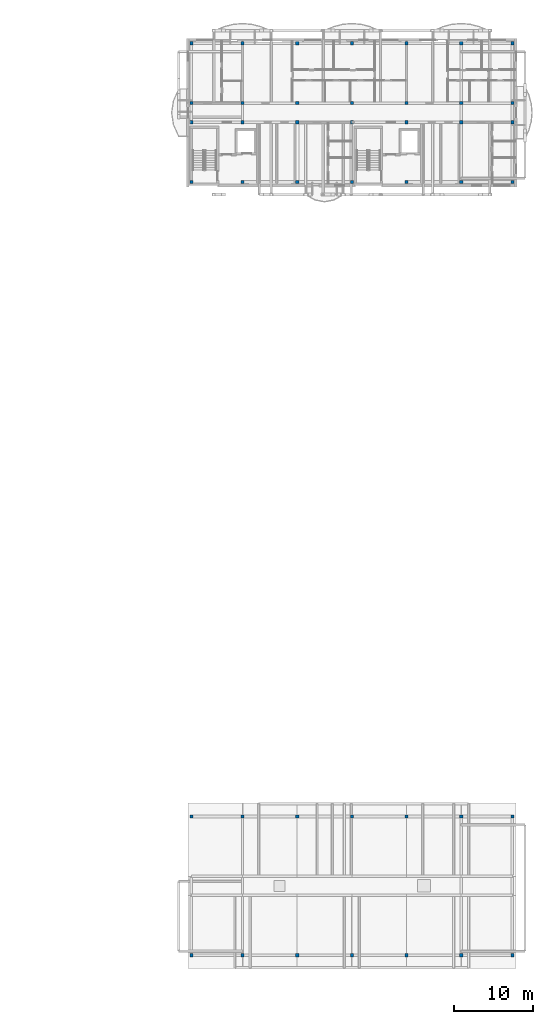
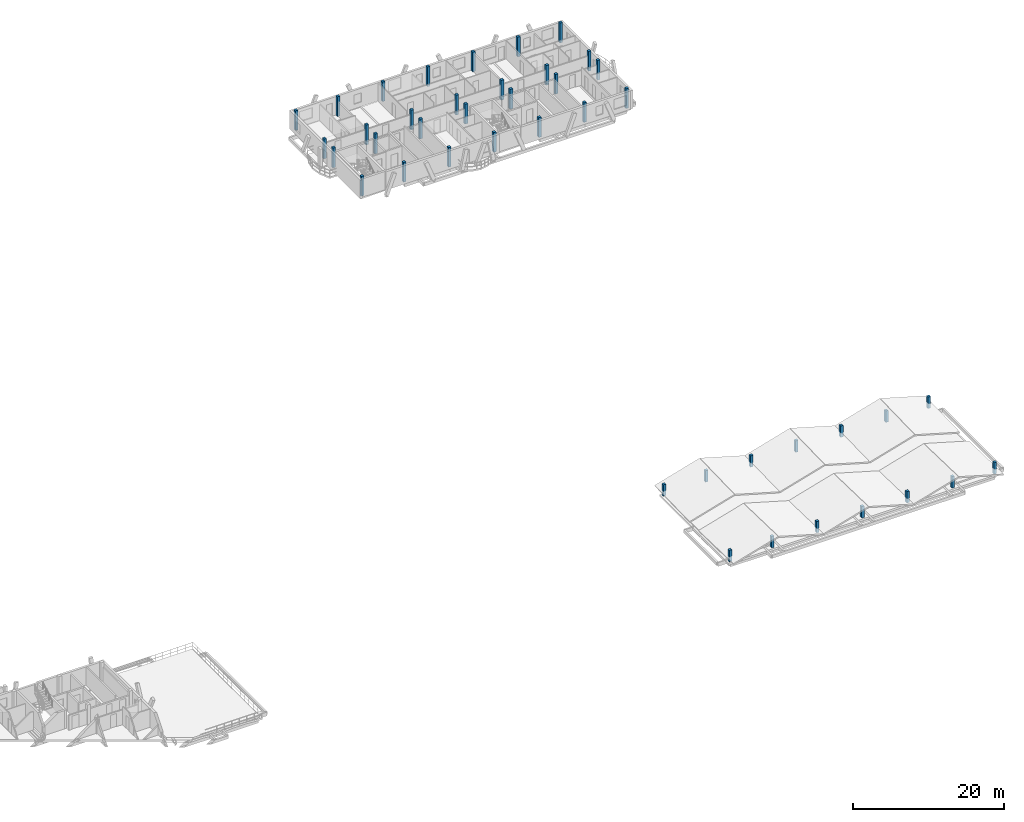
# One storey, part 2 of 33: 42 columns.
"""IFC4 building model written with IfcOpenShell, lengths in metres."""

import ifcopenshell
import ifcopenshell.guid

model = None  # the IFC model being written
_history = None  # IfcOwnerHistory: only IFC2X3 demands one
_inside = {}  # id of a spatial element -> (the spatial element, [elements in it])
_under = {}  # id of a project, library or spatial element -> (it, [spatial elements below it])
_declared = {}  # id of a project -> (the project, [libraries it declares])
_typed = {}  # id of a type object -> (the type object, [elements of that type])
_made_of = {}  # id of a material, layer set ... -> (it, [elements and type objects made of it])


def new_model(schema):
    """Start an empty IFC model of exactly this schema.

    Asked for "IFC4X3", IfcOpenShell would pick the latest addendum, in which some entities
    have other attributes; the version numbers below select the first issue.
    IFC2X3 requires an IfcOwnerHistory on every rooted entity: one is made here for all.
    """
    global model, _history
    if schema == "IFC4X3":
        model = ifcopenshell.file(schema_version=(4, 3, 0, 0))
    else:
        model = ifcopenshell.file(schema=schema)
    _inside.clear()
    _under.clear()
    _declared.clear()
    _typed.clear()
    _made_of.clear()
    _history = None
    if model.schema == "IFC2X3":
        org = make("IfcOrganization", Name="unknown")
        user = make(
            "IfcPersonAndOrganization",
            ThePerson=make("IfcPerson", FamilyName="unknown"),
            TheOrganization=org,
        )
        app = make(
            "IfcApplication",
            ApplicationDeveloper=org,
            Version="unknown",
            ApplicationFullName="unknown",
            ApplicationIdentifier="unknown",
        )
        _history = make(
            "IfcOwnerHistory",
            OwningUser=user,
            OwningApplication=app,
            ChangeAction="ADDED",
            CreationDate=0,
        )
    return model


def make(cls, **values):
    """One entity of the class cls with the attributes given. An attribute that is None is left unset."""
    return model.create_entity(
        cls, **{name: value for name, value in values.items() if value is not None}
    )


def rooted(cls, **values):
    """An entity with a GlobalId (a new one), such as an element, a storey or a relation."""
    return make(cls, GlobalId=ifcopenshell.guid.new(), OwnerHistory=_history, **values)


def si_unit(unit_type, name, prefix=None):
    """IfcSIUnit, for example si_unit("LENGTHUNIT", "METRE", prefix="MILLI")."""
    return make("IfcSIUnit", UnitType=unit_type, Prefix=prefix, Name=name)


def assignment(units):
    """IfcUnitAssignment: the units of a project."""
    return None if units is None else make("IfcUnitAssignment", Units=units)


def point(xyz):
    """IfcCartesianPoint."""
    return None if xyz is None else make("IfcCartesianPoint", Coordinates=xyz)


def direction(xyz):
    """IfcDirection."""
    return None if xyz is None else make("IfcDirection", DirectionRatios=xyz)


def frame(location, z_axis=None, x_axis=None):
    """IfcAxis2Placement3D, a coordinate frame: its origin and axes. An axis left out is left unset."""
    return make(
        "IfcAxis2Placement3D",
        Location=point(location),
        Axis=direction(z_axis),
        RefDirection=direction(x_axis),
    )


def frame_2d(location, x_axis=None):
    """IfcAxis2Placement2D, a coordinate frame in the plane: its origin and x axis."""
    return make(
        "IfcAxis2Placement2D", Location=point(location), RefDirection=direction(x_axis)
    )


def origin():
    """The frame at (0, 0, 0) with its axes left unset."""
    return frame((0.0, 0.0, 0.0))


def origin_2d():
    """The frame at (0, 0) in the plane with its x axis left unset."""
    return frame_2d((0.0, 0.0))


def place(relative_to, where):
    """IfcLocalPlacement: puts the frame where relative to a parent placement (None: the world)."""
    return make(
        "IfcLocalPlacement", PlacementRelTo=relative_to, RelativePlacement=where
    )


def context(
    kind, dimensions, precision=None, world=None, true_north=None, identifier=None
):
    """IfcGeometricRepresentationContext, for example the 3D "Model" context."""
    return make(
        "IfcGeometricRepresentationContext",
        ContextIdentifier=identifier,
        ContextType=kind,
        CoordinateSpaceDimension=dimensions,
        Precision=precision,
        WorldCoordinateSystem=world,
        TrueNorth=true_north,
    )


def subcontext(parent, identifier, kind, view, scale=None):
    """IfcGeometricRepresentationSubContext, for example "Body" below "Model"."""
    return make(
        "IfcGeometricRepresentationSubContext",
        ContextIdentifier=identifier,
        ContextType=kind,
        ParentContext=parent,
        TargetScale=scale,
        TargetView=view,
    )


def project(units=None, contexts=None):
    """IfcProject with its units and contexts."""
    return rooted(
        "IfcProject",
        Name="project",
        RepresentationContexts=contexts,
        UnitsInContext=assignment(units),
    )


def spatial(cls, under=None, at=None, **own):
    """A site, building, storey or space (cls), placed at a placement, below another one or the project."""
    s = rooted(cls, ObjectPlacement=at, **own)
    if under is not None:
        _under.setdefault(under.id(), (under, []))[1].append(s)
    return s


def profile(cls, at=None, kind="AREA", **sizes):
    """A parametric profile (cls). Its sizes go by their IFC names, for example OverallWidth=200.0."""
    return make(cls, ProfileType=kind, Position=at, **sizes)


def rectangle(**sizes):
    """IfcRectangleProfileDef."""
    return profile("IfcRectangleProfileDef", **sizes)


def extrude(swept, where, along, depth):
    """IfcExtrudedAreaSolid: the profile swept, set in the frame where, extruded along a direction by depth."""
    return make(
        "IfcExtrudedAreaSolid",
        SweptArea=swept,
        Position=where,
        ExtrudedDirection=direction(along),
        Depth=depth,
    )


def shape(context_of_items, identifier, shape_type, items):
    """IfcShapeRepresentation: the items that make up one representation, for example the "Body"."""
    return make(
        "IfcShapeRepresentation",
        ContextOfItems=context_of_items,
        RepresentationIdentifier=identifier,
        RepresentationType=shape_type,
        Items=items,
    )


def material(Name=None, Category=None):
    """IfcMaterial."""
    return make("IfcMaterial", Name=Name, Category=Category)


def material_profile(
    of_material, cross_section, Name=None, Category=None, Priority=None
):
    """IfcMaterialProfile: a cross section and its material."""
    return make(
        "IfcMaterialProfile",
        Name=Name,
        Material=of_material,
        Profile=cross_section,
        Priority=Priority,
        Category=Category,
    )


def profile_set(profiles, Name=None, composite=None):
    """IfcMaterialProfileSet."""
    return make(
        "IfcMaterialProfileSet",
        Name=Name,
        MaterialProfiles=profiles,
        CompositeProfile=composite,
    )


def made_of(thing, what):
    """Note that an element or type object is made of a material, layer set ...; save() writes the relation."""
    if what is not None:
        _made_of.setdefault(what.id(), (what, []))[1].append(thing)
    return thing


def type_object(cls, material=None, **own):
    """A type object (cls), such as IfcWallType, which elements share."""
    return made_of(rooted(cls, **own), material)


def element(
    cls,
    number,
    at=None,
    inside=None,
    cuts=None,
    type_object=None,
    material=None,
    context=None,
    identifier="Body",
    shape_type=None,
    held_by="IfcProductDefinitionShape",
    body=None,
    shapes=None,
    **own,
):
    """One element of the class cls, such as IfcWall. Its Tag is "e" and its number.

    at: its placement. inside: the storey or other place that contains it. cuts: it is an
    opening in that element (IfcRelVoidsElement). A single representation is given by context,
    identifier, shape_type and body (its items); several are given by shapes. held_by: the class
    of the entity that holds the representations. save() writes the other relations.
    """
    e = rooted(cls, Tag="e%d" % number, ObjectPlacement=at, **own)
    if body is not None:
        shapes = [shape(context, identifier, shape_type, body)]
    if shapes is not None:
        e.Representation = make(held_by, Representations=shapes)
    if inside is not None:
        _inside.setdefault(inside.id(), (inside, []))[1].append(e)
    if cuts is not None:
        rooted(
            "IfcRelVoidsElement", RelatingBuildingElement=cuts, RelatedOpeningElement=e
        )
    if type_object is not None:
        _typed.setdefault(type_object.id(), (type_object, []))[1].append(e)
    return made_of(e, material)


def aggregate(whole, parts):
    """IfcRelAggregates: a whole, such as a stair, and the parts it consists of."""
    return rooted("IfcRelAggregates", RelatingObject=whole, RelatedObjects=parts)


def save(model, path):
    """Write the relations noted so far, then the file.

    IfcRelAggregates (storeys below a building ...), IfcRelContainedInSpatialStructure (elements
    in a storey), IfcRelDefinesByType, IfcRelAssociatesMaterial and IfcRelDeclares: one each for
    every whole, place, type object, material and project.
    """
    for whole, parts in _under.values():
        aggregate(whole, parts)
    for where, things in _inside.values():
        rooted(
            "IfcRelContainedInSpatialStructure",
            RelatedElements=things,
            RelatingStructure=where,
        )
    for kind, things in _typed.values():
        rooted("IfcRelDefinesByType", RelatedObjects=things, RelatingType=kind)
    for what, things in _made_of.values():
        rooted("IfcRelAssociatesMaterial", RelatedObjects=things, RelatingMaterial=what)
    for by, libraries in _declared.values():
        rooted("IfcRelDeclares", RelatingContext=by, RelatedDefinitions=libraries)
    model.write(path)


model = new_model("IFC4")

# Units and contexts
model_context = context("Model", 3, precision=1e-05, world=origin(), true_north=direction((0.0, 1.0)))
body_context = subcontext(model_context, "Body", "Model", "MODEL_VIEW")
ifc_project = project(units=[si_unit("LENGTHUNIT", "METRE"), si_unit("AREAUNIT", "SQUARE_METRE"), si_unit("VOLUMEUNIT", "CUBIC_METRE"), si_unit("PLANEANGLEUNIT", "RADIAN"), si_unit("MASSUNIT", "GRAM", prefix="KILO")], contexts=[model_context])

# Site, building, storey
site_placement = place(None, origin())
site = spatial("IfcSite", under=ifc_project, at=site_placement, CompositionType="ELEMENT")
building_placement = place(site_placement, origin())
building = spatial("IfcBuilding", under=site, at=building_placement, Name="Zavelmont Quarter", CompositionType="ELEMENT")
storey_placement = place(building_placement, frame((0.0, 0.0, 30.39990234375)))
storey = spatial("IfcBuildingStorey", under=building, at=storey_placement, Name="L09", CompositionType="ELEMENT", Elevation=30.39990234375)

# Columns
ifc_material = material(Name="Concrete C35/45", Category="concrete")
ifc_material_profile = material_profile(ifc_material, rectangle(XDim=0.39990234375, YDim=0.39990234375, at=origin_2d()), Name="RC400X400")
ifc_profile_set = profile_set([ifc_material_profile], Name="Concrete C35/45")
column_type = type_object("IfcColumnType", Name="CL05", PredefinedType="COLUMN", material=ifc_profile_set)
for number, where, z_axis, x_axis, name in (
    (1, (127.0400390625, 98.0400390625, 0.0), (0.0, 0.0, 1.0), (1.0, 0.0, 0.0), "L09 column CL05 at 19/P"),
    (2, (127.0400390625, 105.60009765625, 0.0), (0.0, 0.0, 1.0), (1.0, 0.0, 0.0), "L09 column CL05 at 19/Q"),
    (3, (127.0400390625, 108.0, 0.0), (0.0, 0.0, 1.0), (1.0, 0.0, 0.0), "L09 column CL05 at 19/R"),
    (4, (127.0400390625, 115.56005859375, 0.0), (0.0, 0.0, 1.0), (1.0, 0.0, 0.0), "L09 column CL05 at 19/S"),
    (5, (133.5, 98.0400390625, 0.0), (0.0, 0.0, 1.0), (1.0, 0.0, 0.0), "L09 column CL05 at 20/P"),
    (6, (133.5, 105.60009765625, 0.0), (0.0, 0.0, 1.0), (1.0, 0.0, 0.0), "L09 column CL05 at 20/Q"),
    (7, (133.5, 108.0, 0.0), (0.0, 0.0, 1.0), (1.0, 0.0, 0.0), "L09 column CL05 at 20/R"),
    (8, (133.5, 115.56005859375, 0.0), (0.0, 0.0, 1.0), (1.0, 0.0, 0.0), "L09 column CL05 at 20/S"),
    (9, (140.39990234375, 98.0400390625, 0.0), (0.0, 0.0, 1.0), (1.0, 0.0, 0.0), "L09 column CL05 at 21/P"),
    (10, (140.39990234375, 105.60009765625, 0.0), (0.0, 0.0, 1.0), (1.0, 0.0, 0.0), "L09 column CL05 at 21/Q"),
    (11, (140.39990234375, 108.0, 0.0), (0.0, 0.0, 1.0), (1.0, 0.0, 0.0), "L09 column CL05 at 21/R"),
    (12, (140.39990234375, 115.56005859375, 0.0), (0.0, 0.0, 1.0), (1.0, 0.0, 0.0), "L09 column CL05 at 21/S"),
    (13, (147.300048828125, 98.0400390625, 0.0), (0.0, 0.0, 1.0), (1.0, 0.0, 0.0), "L09 column CL05 at 22/P"),
    (14, (147.300048828125, 105.60009765625, 0.0), (0.0, 0.0, 1.0), (1.0, 0.0, 0.0), "L09 column CL05 at 22/Q"),
    (15, (147.300048828125, 108.0, 0.0), (0.0, 0.0, 1.0), (1.0, 0.0, 0.0), "L09 column CL05 at 22/R"),
    (16, (147.300048828125, 115.56005859375, 0.0), (0.0, 0.0, 1.0), (1.0, 0.0, 0.0), "L09 column CL05 at 22/S"),
    (17, (154.199951171875, 98.0400390625, 0.0), (0.0, 0.0, 1.0), (1.0, 0.0, 0.0), "L09 column CL05 at 23/P"),
    (18, (154.199951171875, 105.60009765625, 0.0), (0.0, 0.0, 1.0), (1.0, 0.0, 0.0), "L09 column CL05 at 23/Q"),
    (19, (154.199951171875, 108.0, 0.0), (0.0, 0.0, 1.0), (1.0, 0.0, 0.0), "L09 column CL05 at 23/R"),
    (20, (154.199951171875, 115.56005859375, 0.0), (0.0, 0.0, 1.0), (1.0, 0.0, 0.0), "L09 column CL05 at 23/S"),
    (21, (161.10009765625, 98.0400390625, 0.0), (0.0, 0.0, 1.0), (1.0, 0.0, 0.0), "L09 column CL05 at 24/P"),
    (22, (161.10009765625, 105.60009765625, 0.0), (0.0, 0.0, 1.0), (1.0, 0.0, 0.0), "L09 column CL05 at 24/Q"),
    (23, (161.10009765625, 108.0, 0.0), (0.0, 0.0, 1.0), (1.0, 0.0, 0.0), "L09 column CL05 at 24/R"),
    (24, (161.10009765625, 115.56005859375, 0.0), (0.0, 0.0, 1.0), (1.0, 0.0, 0.0), "L09 column CL05 at 24/S"),
    (25, (167.56005859375, 98.0400390625, 0.0), (0.0, 0.0, 1.0), (1.0, 0.0, 0.0), "L09 column CL05 at 25/P"),
    (26, (167.56005859375, 105.60009765625, 0.0), (0.0, 0.0, 1.0), (1.0, 0.0, 0.0), "L09 column CL05 at 25/Q"),
    (27, (167.56005859375, 108.0, 0.0), (0.0, 0.0, 1.0), (1.0, 0.0, 0.0), "L09 column CL05 at 25/R"),
    (28, (167.56005859375, 115.56005859375, 0.0), (0.0, 0.0, 1.0), (1.0, 0.0, 0.0), "L09 column CL05 at 25/S"),
):
    element("IfcColumn", number, at=place(storey_placement, frame(where, z_axis=z_axis, x_axis=x_axis)), inside=storey, type_object=column_type, Name=name, PredefinedType="COLUMN", context=body_context, shape_type="SweptSolid", body=[
        extrude(rectangle(XDim=0.39990234375, YDim=0.39990234375, at=origin_2d()), origin(), (0.0, 0.0, 1.0), 3.2001953125),
    ])
for number, where, z_axis, x_axis, name in (
    (29, (127.0400390625, 0.43994140625, 0.0), (0.0, 0.0, 1.0), (1.0, 0.0, 0.0), "L09 column CL05 at 19/A"),
    (30, (127.0400390625, 17.9599609375, 0.0), (0.0, 0.0, 1.0), (1.0, 0.0, 0.0), "L09 column CL05 at 19/D"),
    (31, (133.5, 0.43994140625, 0.0), (0.0, 0.0, 1.0), (1.0, 0.0, 0.0), "L09 column CL05 at 20/A"),
    (32, (133.5, 17.9599609375, 0.0), (0.0, 0.0, 1.0), (1.0, 0.0, 0.0), "L09 column CL05 at 20/D"),
    (33, (140.39990234375, 0.43994140625, 0.0), (0.0, 0.0, 1.0), (1.0, 0.0, 0.0), "L09 column CL05 at 21/A"),
    (34, (140.39990234375, 17.9599609375, 0.0), (0.0, 0.0, 1.0), (1.0, 0.0, 0.0), "L09 column CL05 at 21/D"),
    (35, (147.300048828125, 0.43994140625, 0.0), (0.0, 0.0, 1.0), (1.0, 0.0, 0.0), "L09 column CL05 at 22/A"),
    (36, (147.300048828125, 17.9599609375, 0.0), (0.0, 0.0, 1.0), (1.0, 0.0, 0.0), "L09 column CL05 at 22/D"),
    (37, (154.199951171875, 0.43994140625, 0.0), (0.0, 0.0, 1.0), (1.0, 0.0, 0.0), "L09 column CL05 at 23/A"),
    (38, (154.199951171875, 17.9599609375, 0.0), (0.0, 0.0, 1.0), (1.0, 0.0, 0.0), "L09 column CL05 at 23/D"),
    (39, (161.10009765625, 0.43994140625, 0.0), (0.0, 0.0, 1.0), (1.0, 0.0, 0.0), "L09 column CL05 at 24/A"),
    (40, (161.10009765625, 17.9599609375, 0.0), (0.0, 0.0, 1.0), (1.0, 0.0, 0.0), "L09 column CL05 at 24/D"),
    (41, (167.56005859375, 0.43994140625, 0.0), (0.0, 0.0, 1.0), (1.0, 0.0, 0.0), "L09 column CL05 at 25/A"),
    (42, (167.56005859375, 17.9599609375, 0.0), (0.0, 0.0, 1.0), (1.0, 0.0, 0.0), "L09 column CL05 at 25/D"),
):
    element("IfcColumn", number, at=place(storey_placement, frame(where, z_axis=z_axis, x_axis=x_axis)), inside=storey, type_object=column_type, Name=name, PredefinedType="COLUMN", context=body_context, shape_type="SweptSolid", body=[
        extrude(rectangle(XDim=0.39990234375, YDim=0.39990234375, at=origin_2d()), origin(), (0.0, 0.0, 1.0), 1.85009765625),
    ])

save(model, "model.ifc")
